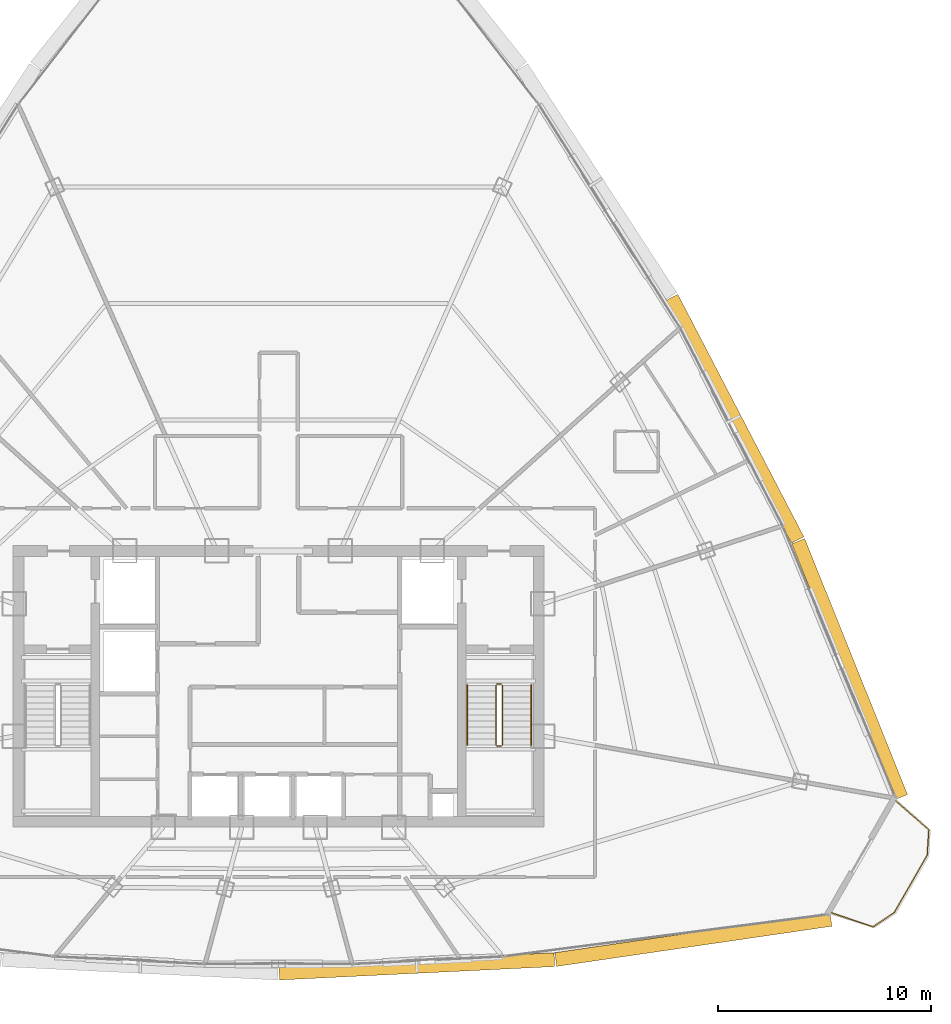
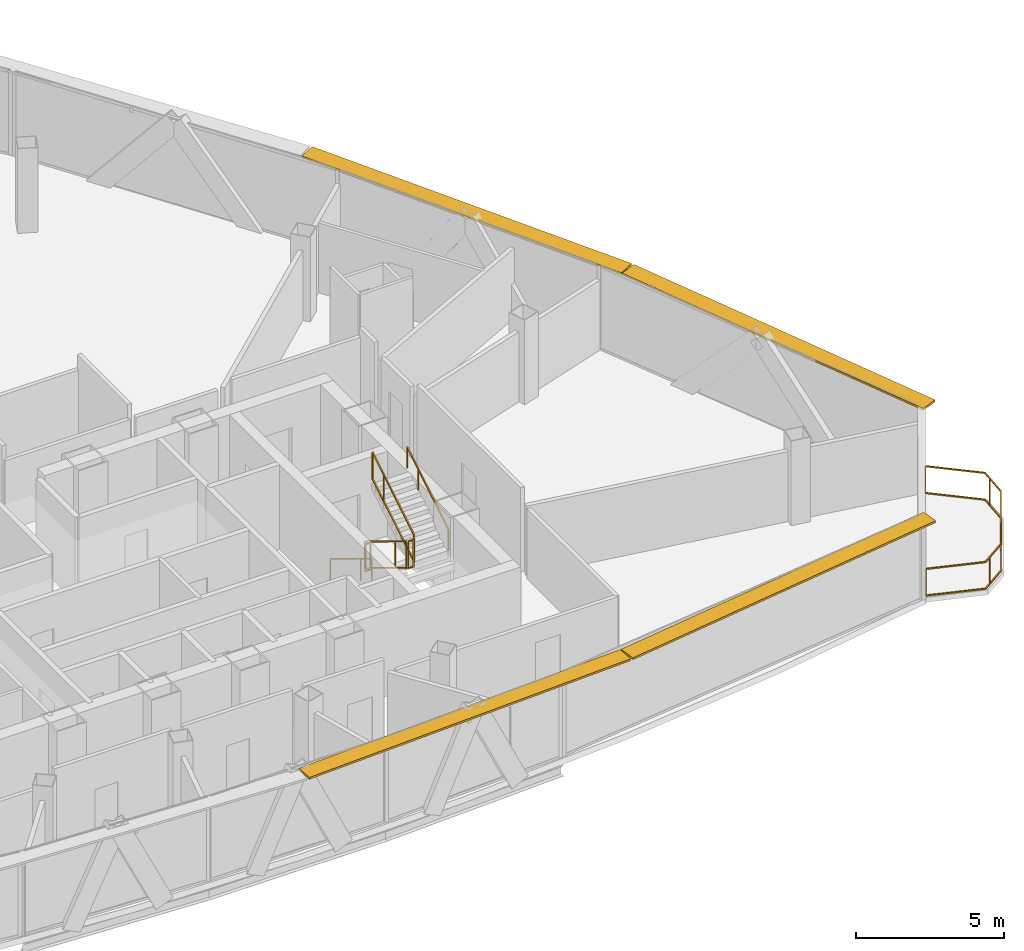
# One storey, part 32 of 33: 7 railings, 4 shading devices.
"""IFC4 building model written with IfcOpenShell, lengths in metres."""

from ifc_helpers import new_model, si_unit, direction, frame, origin, origin_2d, place, context, subcontext, project, spatial, rectangle, extrude, source, transform, mapped, material, layer, layer_set, type_object, element, save


model = new_model("IFC4")

# Units and contexts
model_context = context("Model", 3, precision=1e-05, world=origin(), true_north=direction((0.0, 1.0)))
body_context = subcontext(model_context, "Body", "Model", "MODEL_VIEW")
ifc_project = project(units=[si_unit("LENGTHUNIT", "METRE"), si_unit("AREAUNIT", "SQUARE_METRE"), si_unit("VOLUMEUNIT", "CUBIC_METRE"), si_unit("PLANEANGLEUNIT", "RADIAN"), si_unit("MASSUNIT", "GRAM", prefix="KILO"), si_unit("THERMODYNAMICTEMPERATUREUNIT", "KELVIN"), si_unit("POWERUNIT", "WATT")], contexts=[model_context])

# Site, building, storey
site_placement = place(None, origin())
site = spatial("IfcSite", under=ifc_project, at=site_placement, CompositionType="ELEMENT")
building_placement = place(site_placement, origin())
building = spatial("IfcBuilding", under=site, at=building_placement, Name="Yunzhuo Pagoda Commons", CompositionType="ELEMENT")
storey_placement = place(building_placement, frame((0.0, 0.0, 325.510009765625)))
storey = spatial("IfcBuildingStorey", under=building, at=storey_placement, Name="L81", CompositionType="ELEMENT", Elevation=325.510009765625)

# Railings
ifc_material = material(Name="Anodized aluminium 6063-T6", Category="aluminium")
railing_type_1 = type_object("IfcRailingType", Name="GR-ST2 Stair Well Guardrail 1160", PredefinedType="GUARDRAIL", material=ifc_material)
railing_1_placement = place(storey_placement, frame((58.199951171875, 33.89990234375, 0.17041015625)))
element("IfcRailing", 1, at=railing_1_placement, inside=storey, type_object=railing_type_1, Name="L81 ST2 stair guard 1", PredefinedType="GUARDRAIL", context=body_context, shape_type="SweptSolid", body=[
    extrude(rectangle(XDim=0.048095703125, YDim=0.048095703125, at=origin_2d()), frame((0.0, 0.0, 1.1259765625), z_axis=(0.0, -0.854149651119, 0.520027281489), x_axis=(1.0, 0.0, 0.0)), (0.0, 0.0, 1.0), 3.27783203125),
    extrude(rectangle(XDim=0.048095703125, YDim=0.048095703125, at=origin_2d()), frame((0.0, 0.0, 0.02392578125), z_axis=(0.0, -0.854149651119, 0.520027281489), x_axis=(1.0, 0.0, 0.0)), (0.0, 0.0, 1.0), 3.27783203125),
    extrude(rectangle(XDim=0.0419921875, YDim=0.0419921875, at=origin_2d()), origin(), (0.0, 0.0, 1.0), 1.101806640625),
    extrude(rectangle(XDim=0.0419921875, YDim=0.0419921875, at=origin_2d()), frame((0.0, -2.050048828125, 1.248046875)), (0.0, 0.0, 1.0), 1.101806640625),
    extrude(rectangle(XDim=0.0419921875, YDim=0.0419921875, at=origin_2d()), frame((0.0, -2.7998046875, 1.70458984375)), (0.0, 0.0, 1.0), 1.101806640625),
])
railing_2_placement = place(storey_placement, frame((58.25, 31.050048828125, 1.875)))
element("IfcRailing", 2, at=railing_2_placement, inside=storey, type_object=railing_type_1, Name="L81 ST2 stair guard 2", PredefinedType="GUARDRAIL", context=body_context, shape_type="SweptSolid", body=[
    extrude(rectangle(XDim=0.048095703125, YDim=0.048095703125, at=origin_2d()), frame((0.0, 0.0, 1.1259765625), z_axis=(1.0, 0.0, 0.0), x_axis=(0.0, 1.0, 0.0)), (0.0, 0.0, 1.0), 0.199951171875),
    extrude(rectangle(XDim=0.048095703125, YDim=0.048095703125, at=origin_2d()), frame((0.0, 0.0, 0.02392578125), z_axis=(1.0, 0.0, 0.0), x_axis=(0.0, 1.0, 0.0)), (0.0, 0.0, 1.0), 0.199951171875),
    extrude(rectangle(XDim=0.0419921875, YDim=0.0419921875, at=origin_2d()), origin(), (0.0, 0.0, 1.0), 1.101806640625),
    extrude(rectangle(XDim=0.0419921875, YDim=0.0419921875, at=origin_2d()), frame((0.199951171875, 0.0, 0.0)), (0.0, 0.0, 1.0), 1.101806640625),
])
railing_3_placement = place(storey_placement, frame((58.5, 31.10009765625, 2.04541015625)))
element("IfcRailing", 3, at=railing_3_placement, inside=storey, type_object=railing_type_1, Name="L81 ST2 stair guard 3", PredefinedType="GUARDRAIL", context=body_context, shape_type="SweptSolid", body=[
    extrude(rectangle(XDim=0.048095703125, YDim=0.048095703125, at=origin_2d()), frame((0.0, 0.0, 1.1259765625), z_axis=(0.0, 0.854149651119, 0.520027281489), x_axis=(-1.0, 0.0, 0.0)), (0.0, 0.0, 1.0), 3.27783203125),
    extrude(rectangle(XDim=0.048095703125, YDim=0.048095703125, at=origin_2d()), frame((0.0, 0.0, 0.02392578125), z_axis=(0.0, 0.854149651119, 0.520027281489), x_axis=(-1.0, 0.0, 0.0)), (0.0, 0.0, 1.0), 3.27783203125),
    extrude(rectangle(XDim=0.0419921875, YDim=0.0419921875, at=origin_2d()), origin(), (0.0, 0.0, 1.0), 1.101806640625),
    extrude(rectangle(XDim=0.0419921875, YDim=0.0419921875, at=origin_2d()), frame((0.0, 2.050048828125, 1.248046875)), (0.0, 0.0, 1.0), 1.101806640625),
    extrude(rectangle(XDim=0.0419921875, YDim=0.0419921875, at=origin_2d()), frame((0.0, 2.7998046875, 1.70458984375)), (0.0, 0.0, 1.0), 1.101806640625),
])
railing_4_placement = place(storey_placement, frame((58.25, 33.949951171875, 0.0)))
element("IfcRailing", 4, at=railing_4_placement, inside=storey, type_object=railing_type_1, Name="L81 ST2 stair guard 4", PredefinedType="GUARDRAIL", context=body_context, shape_type="SweptSolid", body=[
    extrude(rectangle(XDim=0.048095703125, YDim=0.048095703125, at=origin_2d()), frame((0.0, 0.0, 1.1259765625), z_axis=(1.0, 0.0, 0.0), x_axis=(0.0, 1.0, 0.0)), (0.0, 0.0, 1.0), 0.199951171875),
    extrude(rectangle(XDim=0.048095703125, YDim=0.048095703125, at=origin_2d()), frame((0.0, 0.0, 0.02392578125), z_axis=(1.0, 0.0, 0.0), x_axis=(0.0, 1.0, 0.0)), (0.0, 0.0, 1.0), 0.199951171875),
    extrude(rectangle(XDim=0.0419921875, YDim=0.0419921875, at=origin_2d()), origin(), (0.0, 0.0, 1.0), 1.101806640625),
    extrude(rectangle(XDim=0.0419921875, YDim=0.0419921875, at=origin_2d()), frame((0.199951171875, 0.0, 0.0)), (0.0, 0.0, 1.0), 1.101806640625),
])
railing_type_2 = type_object("IfcRailingType", Name="HR-ST2 Stair Handrail 900", PredefinedType="HANDRAIL", material=ifc_material)
railing_5_placement = place(storey_placement, frame((56.85009765625, 33.89990234375, 0.17041015625)))
element("IfcRailing", 5, at=railing_5_placement, inside=storey, type_object=railing_type_2, Name="L81 ST2 stair handrail 1", PredefinedType="HANDRAIL", context=body_context, shape_type="SweptSolid", body=[
    extrude(rectangle(XDim=0.048095703125, YDim=0.048095703125, at=origin_2d()), frame((0.0, 0.0, 0.8759765625), z_axis=(0.0, -0.854149651119, 0.520027281489), x_axis=(1.0, 0.0, 0.0)), (0.0, 0.0, 1.0), 3.27783203125),
    extrude(rectangle(XDim=0.0419921875, YDim=0.0419921875, at=origin_2d()), origin(), (0.0, 0.0, 1.0), 0.851806640625),
    extrude(rectangle(XDim=0.0419921875, YDim=0.0419921875, at=origin_2d()), frame((0.0, -2.050048828125, 1.248046875)), (0.0, 0.0, 1.0), 0.851806640625),
    extrude(rectangle(XDim=0.0419921875, YDim=0.0419921875, at=origin_2d()), frame((0.0, -2.7998046875, 1.70458984375)), (0.0, 0.0, 1.0), 0.851806640625),
])
railing_6_placement = place(storey_placement, frame((59.85009765625, 31.10009765625, 2.04541015625)))
element("IfcRailing", 6, at=railing_6_placement, inside=storey, type_object=railing_type_2, Name="L81 ST2 stair handrail 2", PredefinedType="HANDRAIL", context=body_context, shape_type="SweptSolid", body=[
    extrude(rectangle(XDim=0.048095703125, YDim=0.048095703125, at=origin_2d()), frame((0.0, 0.0, 0.8759765625), z_axis=(0.0, 0.854149651119, 0.520027281489), x_axis=(-1.0, 0.0, 0.0)), (0.0, 0.0, 1.0), 3.27783203125),
    extrude(rectangle(XDim=0.0419921875, YDim=0.0419921875, at=origin_2d()), origin(), (0.0, 0.0, 1.0), 0.851806640625),
    extrude(rectangle(XDim=0.0419921875, YDim=0.0419921875, at=origin_2d()), frame((0.0, 2.050048828125, 1.248046875)), (0.0, 0.0, 1.0), 0.851806640625),
    extrude(rectangle(XDim=0.0419921875, YDim=0.0419921875, at=origin_2d()), frame((0.0, 2.7998046875, 1.70458984375)), (0.0, 0.0, 1.0), 0.851806640625),
])
railing_type_3 = type_object("IfcRailingType", Name="RL-BAL1 Exterior Terrace & Balcony Balustrade 1150", PredefinedType="BALUSTRADE", material=ifc_material)
railing_7_placement = place(storey_placement, frame((73.939697265625, 23.225830078125, 0.0)))
element("IfcRailing", 7, at=railing_7_placement, inside=storey, type_object=railing_type_3, Name="L81 corner balcony balustrade V2", PredefinedType="BALUSTRADE", context=body_context, shape_type="SweptSolid", body=[
    extrude(rectangle(XDim=0.048095703125, YDim=0.048095703125, at=origin_2d()), frame((0.0, 0.0, 1.1259765625), z_axis=(0.947419062147, -0.319995501031, 0.0), x_axis=(0.319995501031, 0.947419062147, 0.0)), (0.0, 0.0, 1.0), 2.05908203125),
    extrude(rectangle(XDim=0.048095703125, YDim=0.048095703125, at=origin_2d()), frame((0.0, 0.0, 0.02392578125), z_axis=(0.947419062147, -0.319995501031, 0.0), x_axis=(0.319995501031, 0.947419062147, 0.0)), (0.0, 0.0, 1.0), 2.05908203125),
    extrude(rectangle(XDim=0.048095703125, YDim=0.048095703125, at=origin_2d()), frame((1.950927734375, -0.658935546875, 1.1259765625), z_axis=(0.830446287952, 0.557098701154, 0.0), x_axis=(-0.557098701154, 0.830446287952, 0.0)), (0.0, 0.0, 1.0), 1.19677734375),
    extrude(rectangle(XDim=0.048095703125, YDim=0.048095703125, at=origin_2d()), frame((1.950927734375, -0.658935546875, 0.02392578125), z_axis=(0.830446287952, 0.557098701154, 0.0), x_axis=(-0.557098701154, 0.830446287952, 0.0)), (0.0, 0.0, 1.0), 1.19677734375),
    extrude(rectangle(XDim=0.048095703125, YDim=0.048095703125, at=origin_2d()), frame((2.94482421875, 0.0078125, 1.1259765625), z_axis=(0.497966035481, 0.867196533381, 0.0), x_axis=(-0.867196533381, 0.497966035481, 0.0)), (0.0, 0.0, 1.0), 3.1064453125),
    extrude(rectangle(XDim=0.048095703125, YDim=0.048095703125, at=origin_2d()), frame((2.94482421875, 0.0078125, 0.02392578125), z_axis=(0.497966035481, 0.867196533381, 0.0), x_axis=(-0.867196533381, 0.497966035481, 0.0)), (0.0, 0.0, 1.0), 3.1064453125),
    extrude(rectangle(XDim=0.048095703125, YDim=0.048095703125, at=origin_2d()), frame((4.49169921875, 2.70166015625, 1.1259765625), z_axis=(0.062416382628, 0.998050196723, 0.0), x_axis=(-0.998050196723, 0.062416382628, 0.0)), (0.0, 0.0, 1.0), 1.197021484375),
    extrude(rectangle(XDim=0.048095703125, YDim=0.048095703125, at=origin_2d()), frame((4.49169921875, 2.70166015625, 0.02392578125), z_axis=(0.062416382628, 0.998050196723, 0.0), x_axis=(-0.998050196723, 0.062416382628, 0.0)), (0.0, 0.0, 1.0), 1.197021484375),
    extrude(rectangle(XDim=0.048095703125, YDim=0.048095703125, at=origin_2d()), frame((4.56640625, 3.896240234375, 1.1259765625), z_axis=(-0.753933830692, 0.656950362614, 0.0), x_axis=(-0.656950362614, -0.753933830692, 0.0)), (0.0, 0.0, 1.0), 2.05908203125),
    extrude(rectangle(XDim=0.048095703125, YDim=0.048095703125, at=origin_2d()), frame((4.56640625, 3.896240234375, 0.02392578125), z_axis=(-0.753933830692, 0.656950362614, 0.0), x_axis=(-0.656950362614, -0.753933830692, 0.0)), (0.0, 0.0, 1.0), 2.05908203125),
    extrude(rectangle(XDim=0.0419921875, YDim=0.0419921875, at=origin_2d()), origin(), (0.0, 0.0, 1.0), 1.101806640625),
    extrude(rectangle(XDim=0.0419921875, YDim=0.0419921875, at=origin_2d()), frame((2.23388671875, -0.468994140625, 0.0)), (0.0, 0.0, 1.0), 1.101806640625),
    extrude(rectangle(XDim=0.0419921875, YDim=0.0419921875, at=origin_2d()), frame((3.713623046875, 1.3466796875, 0.0)), (0.0, 0.0, 1.0), 1.101806640625),
    extrude(rectangle(XDim=0.0419921875, YDim=0.0419921875, at=origin_2d()), frame((4.5439453125, 3.53759765625, 0.0)), (0.0, 0.0, 1.0), 1.101806640625),
    extrude(rectangle(XDim=0.0419921875, YDim=0.0419921875, at=origin_2d()), frame((3.013916015625, 5.2490234375, 0.0)), (0.0, 0.0, 1.0), 1.101806640625),
])

# Shading devices
ifc_layer = layer(ifc_material, 0.080078125)
ifc_layer_set = layer_set([ifc_layer], Name="Anodized aluminium 6063-T6")
shading_device_type = type_object("IfcShadingDeviceType", Name="SH-SUN1 Pagoda Horizontal Sunshade Eave 650", PredefinedType="USERDEFINED", material=ifc_layer_set)
shared_shape_1 = source(origin(), body_context, "Body", "SweptSolid", [
    extrude(rectangle(XDim=13.047119140625, YDim=0.64990234375, at=origin_2d()), origin(), (0.0, 0.0, 1.0), 0.080078125),
])
shading_device_1_placement = place(storey_placement, frame((67.45947265625, 21.9736328125, 3.409912109375), z_axis=(0.0, 0.0, 1.0), x_axis=(0.989510666697, 0.144459823108, 0.0)))
element("IfcShadingDevice", 8, at=shading_device_1_placement, inside=storey, type_object=shading_device_type, Name="L81 horizontal pagoda sunshade eave F1.4", ObjectType="SUNSHADE", PredefinedType="USERDEFINED", context=body_context, shape_type="MappedRepresentation", body=[
    mapped(shared_shape_1, transform((0.0, 0.0, 0.0), scale=1.0)),
])
shared_shape_2 = source(origin(), body_context, "Body", "SweptSolid", [
    extrude(rectangle(XDim=12.92529296875, YDim=0.64990234375, at=origin_2d()), origin(), (0.0, 0.0, 1.0), 0.080078125),
])
shading_device_2_placement = place(storey_placement, frame((54.486572265625, 20.711181640625, 3.409912109375), z_axis=(0.0, 0.0, 1.0), x_axis=(0.998818043775, 0.04860571396, 0.0)))
element("IfcShadingDevice", 9, at=shading_device_2_placement, inside=storey, type_object=shading_device_type, Name="L81 horizontal pagoda sunshade eave F1.3", ObjectType="SUNSHADE", PredefinedType="USERDEFINED", context=body_context, shape_type="MappedRepresentation", body=[
    mapped(shared_shape_2, transform((0.0, 0.0, 0.0), scale=1.0)),
])
shared_shape_3 = source(origin(), body_context, "Body", "SweptSolid", [
    extrude(rectangle(XDim=12.942138671875, YDim=0.64990234375, at=origin_2d()), origin(), (0.0, 0.0, 1.0), 0.080078125),
])
shading_device_3_placement = place(storey_placement, frame((74.794921875, 34.656494140625, 3.409912109375), z_axis=(0.0, 0.0, 1.0), x_axis=(-0.372987782576, 0.927836253899, 0.0)))
element("IfcShadingDevice", 10, at=shading_device_3_placement, inside=storey, type_object=shading_device_type, Name="L81 horizontal pagoda sunshade eave F2.1", ObjectType="SUNSHADE", PredefinedType="USERDEFINED", context=body_context, shape_type="MappedRepresentation", body=[
    mapped(shared_shape_3, transform((0.0, 0.0, 0.0), scale=1.0)),
])
shared_shape_4 = source(origin(), body_context, "Body", "SweptSolid", [
    extrude(rectangle(XDim=12.8193359375, YDim=0.64990234375, at=origin_2d()), origin(), (0.0, 0.0, 1.0), 0.080078125),
])
shading_device_4_placement = place(storey_placement, frame((69.398681640625, 46.4052734375, 3.409912109375), z_axis=(0.0, 0.0, 1.0), x_axis=(-0.461206683033, 0.88729273384, 0.0)))
element("IfcShadingDevice", 11, at=shading_device_4_placement, inside=storey, type_object=shading_device_type, Name="L81 horizontal pagoda sunshade eave F2.2", ObjectType="SUNSHADE", PredefinedType="USERDEFINED", context=body_context, shape_type="MappedRepresentation", body=[
    mapped(shared_shape_4, transform((0.0, 0.0, 0.0), scale=1.0)),
])

save(model, "model.ifc")
